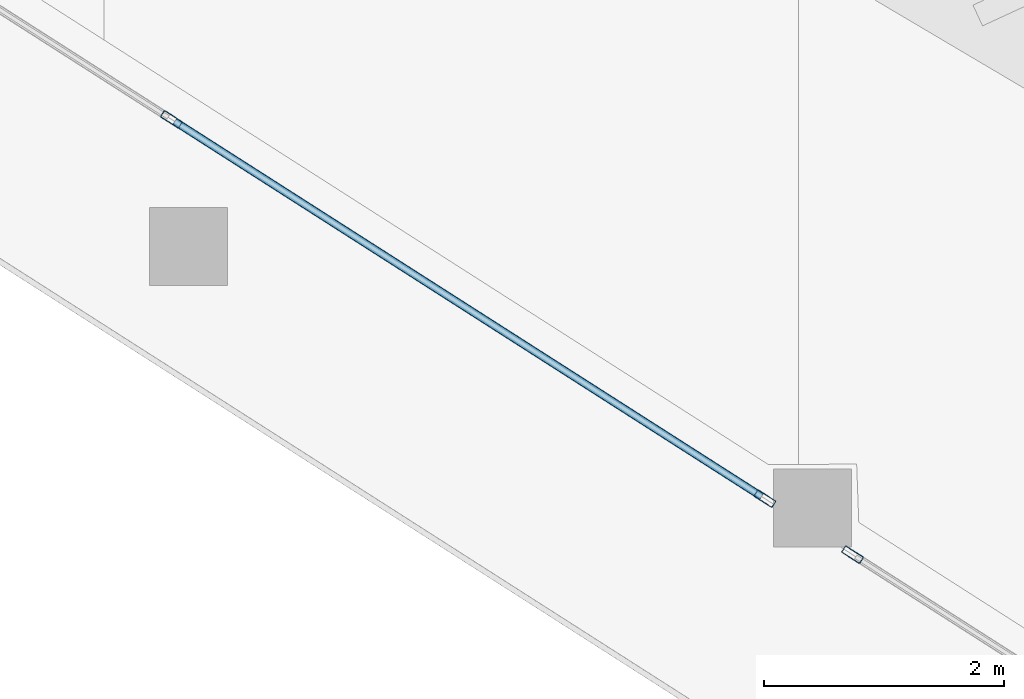
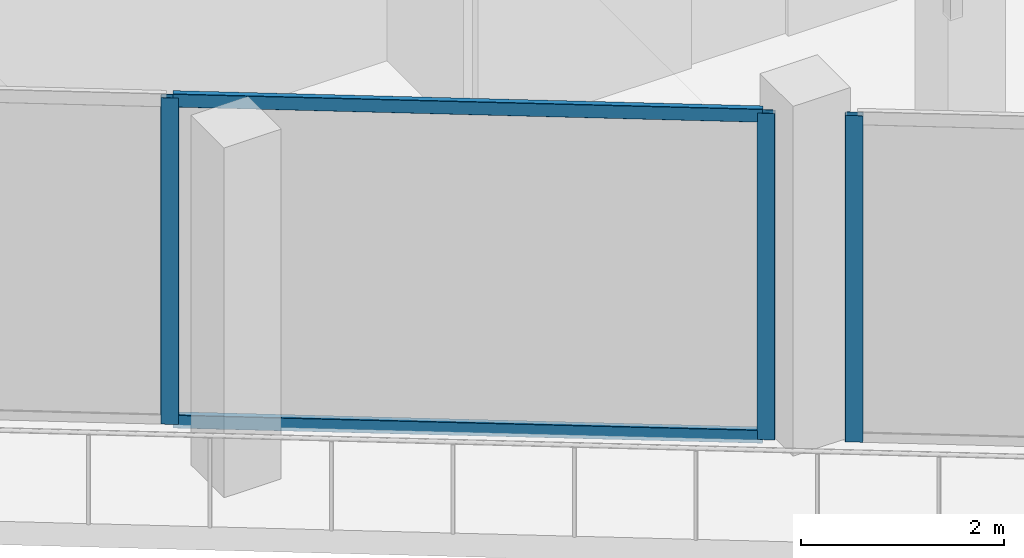
# One storey, part 5 of 44: 5 members, 2 elements without a shape of their own.
"""IFC4 building model written with IfcOpenShell, lengths in metres."""

from ifc_helpers import new_model, si_unit, direction, frame, origin, origin_2d, place, context, subcontext, project, spatial, hollow_rectangle, extrude, material, layer, layer_set, material_profile, profile_set, type_object, element, aggregate, save


model = new_model("IFC4")

# Units and contexts
model_context = context("Model", 3, precision=1e-05, world=origin(), true_north=direction((0.0, 1.0)))
body_context = subcontext(model_context, "Body", "Model", "MODEL_VIEW")
ifc_project = project(units=[si_unit("LENGTHUNIT", "METRE"), si_unit("AREAUNIT", "SQUARE_METRE"), si_unit("VOLUMEUNIT", "CUBIC_METRE"), si_unit("PLANEANGLEUNIT", "RADIAN"), si_unit("MASSUNIT", "GRAM", prefix="KILO")], contexts=[model_context])

# Site, building, storey
site_placement = place(None, origin())
site = spatial("IfcSite", under=ifc_project, at=site_placement, CompositionType="ELEMENT")
building_placement = place(site_placement, origin())
building = spatial("IfcBuilding", under=site, at=building_placement, Name="Qorvath Tower", CompositionType="ELEMENT")
storey_placement = place(building_placement, frame((0.0, 0.0, 45.0)))
storey = spatial("IfcBuildingStorey", under=building, at=storey_placement, Name="L09", CompositionType="ELEMENT", Elevation=45.0)

# Curtain wall, members
ifc_material_1 = material(Name="Anodised aluminium and triple low-E glass", Category="aluminium")
ifc_layer = layer(ifc_material_1, 0.179931640625)
ifc_layer_set = layer_set([ifc_layer], Name="CW-SYS-2")
curtain_wall_type = type_object("IfcCurtainWallType", Name="CW-SYS-2", PredefinedType="NOTDEFINED", material=ifc_layer_set)
curtain_wall_1_placement = place(storey_placement, origin())
curtain_wall_1 = element("IfcCurtainWall", 1, at=curtain_wall_1_placement, inside=storey, type_object=curtain_wall_type, Name="Curtain Wall CW-2 CW-T-L09-2.1", PredefinedType="NOTDEFINED")
ifc_material_2 = material(Name="Anodised aluminium 6063-T6", Category="aluminium")
ifc_material_profile_1 = material_profile(ifc_material_2, hollow_rectangle(XDim=0.06494140625, YDim=0.179931640625, WallThickness=0.00341796875, InnerFilletRadius=0.00341796875, OuterFilletRadius=0.007080078125, at=origin_2d()), Name="CWM 180x65")
ifc_profile_set_1 = profile_set([ifc_material_profile_1], Name="Anodised aluminium 6063-T6")
member_type_1 = type_object("IfcMemberType", Name="CWM-180", PredefinedType="MULLION", material=ifc_profile_set_1)
member_1_placement = place(storey_placement, frame((-45.677001953125, -13.71435546875, 0.0), z_axis=(0.0, 0.0, 1.0), x_axis=(0.538531853978, 0.842605152044, 0.0)))
member_1 = element("IfcMember", 2, at=member_1_placement, type_object=member_type_1, Name="CW-2 mullion 4", PredefinedType="MULLION", context=body_context, shape_type="SweptSolid", body=[
    extrude(hollow_rectangle(XDim=0.06494140625, YDim=0.179931640625, WallThickness=0.00341796875, InnerFilletRadius=0.00341796875, OuterFilletRadius=0.007080078125, at=origin_2d()), origin(), (0.0, 0.0, 1.0), 3.919921875),
])
member_2_placement = place(storey_placement, frame((-40.729736328125, -16.876220703125, 0.0), z_axis=(0.0, 0.0, 1.0), x_axis=(0.538531853978, 0.842605152044, 0.0)))
member_2 = element("IfcMember", 3, at=member_2_placement, type_object=member_type_1, Name="CW-2 mullion 5", PredefinedType="MULLION", context=body_context, shape_type="SweptSolid", body=[
    extrude(hollow_rectangle(XDim=0.06494140625, YDim=0.179931640625, WallThickness=0.00341796875, InnerFilletRadius=0.00341796875, OuterFilletRadius=0.007080078125, at=origin_2d()), origin(), (0.0, 0.0, 1.0), 3.919921875),
])

# Curtain wall, member
curtain_wall_2_placement = place(storey_placement, origin())
curtain_wall_2 = element("IfcCurtainWall", 4, at=curtain_wall_2_placement, inside=storey, type_object=curtain_wall_type, Name="Curtain Wall CW-2 CW-T-L09-2.2", PredefinedType="NOTDEFINED")
member_3_placement = place(storey_placement, frame((-39.999267578125, -17.34326171875, 0.0), z_axis=(0.0, 0.0, 1.0), x_axis=(0.538536571861, 0.842602136698, 0.0)))
member_3 = element("IfcMember", 5, at=member_3_placement, type_object=member_type_1, Name="CW-2 mullion 1", PredefinedType="MULLION", context=body_context, shape_type="SweptSolid", body=[
    extrude(hollow_rectangle(XDim=0.06494140625, YDim=0.179931640625, WallThickness=0.00341796875, InnerFilletRadius=0.00341796875, OuterFilletRadius=0.007080078125, at=origin_2d()), origin(), (0.0, 0.0, 1.0), 3.919921875),
])
aggregate(curtain_wall_2, [member_3])

# Member
ifc_material_3 = material(Name="Anodised aluminium 6063-T6", Category="aluminium")
ifc_material_profile_2 = material_profile(ifc_material_3, hollow_rectangle(XDim=0.06494140625, YDim=0.159912109375, WallThickness=0.00341796875, InnerFilletRadius=0.00341796875, OuterFilletRadius=0.007080078125, at=origin_2d()), Name="CWT 160x65")
ifc_profile_set_2 = profile_set([ifc_material_profile_2], Name="Anodised aluminium 6063-T6")
member_type_2 = type_object("IfcMemberType", Name="CWT-160", PredefinedType="USERDEFINED", material=ifc_profile_set_2)
member_4_placement = place(storey_placement, frame((-45.649658203125, -13.73193359375, 0.032470703125), z_axis=(0.842607225398, -0.538528609925, 0.0), x_axis=(0.538528609925, 0.842607225398, 0.0)))
member_4 = element("IfcMember", 6, at=member_4_placement, type_object=member_type_2, Name="CW-2 transom 4.1", ObjectType="TRANSOM", PredefinedType="USERDEFINED", context=body_context, shape_type="SweptSolid", body=[
    extrude(hollow_rectangle(XDim=0.06494140625, YDim=0.159912109375, WallThickness=0.00341796875, InnerFilletRadius=0.00341796875, OuterFilletRadius=0.007080078125, at=origin_2d()), origin(), (0.0, 0.0, 1.0), 5.806396484375),
])

member_5_placement = place(storey_placement, frame((-45.649658203125, -13.73193359375, 3.887451171875), z_axis=(0.842607225398, -0.538528609925, 0.0), x_axis=(0.538528609925, 0.842607225398, 0.0)))
member_5 = element("IfcMember", 7, at=member_5_placement, type_object=member_type_2, Name="CW-2 transom 4.2", ObjectType="TRANSOM", PredefinedType="USERDEFINED", context=body_context, shape_type="SweptSolid", body=[
    extrude(hollow_rectangle(XDim=0.06494140625, YDim=0.159912109375, WallThickness=0.00341796875, InnerFilletRadius=0.00341796875, OuterFilletRadius=0.007080078125, at=origin_2d()), origin(), (0.0, 0.0, 1.0), 5.806396484375),
])

aggregate(curtain_wall_1, [member_1, member_2, member_4, member_5])

save(model, "model.ifc")
